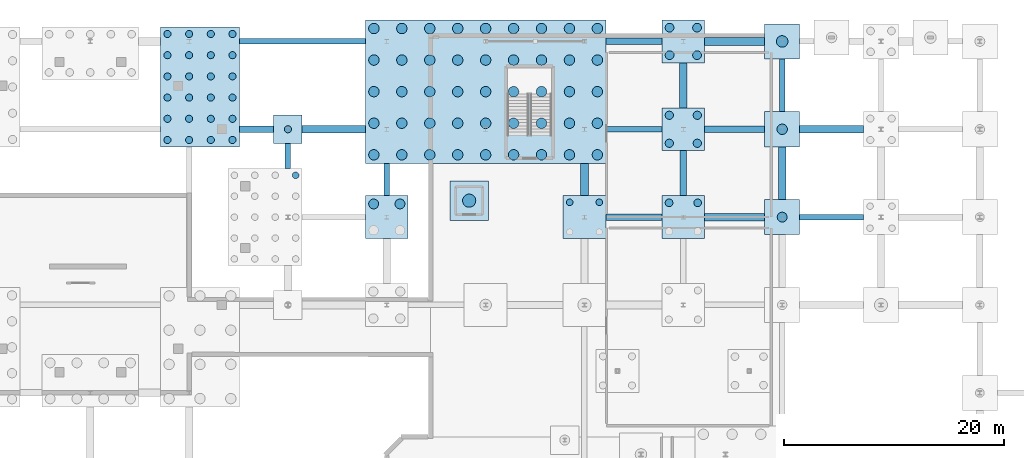
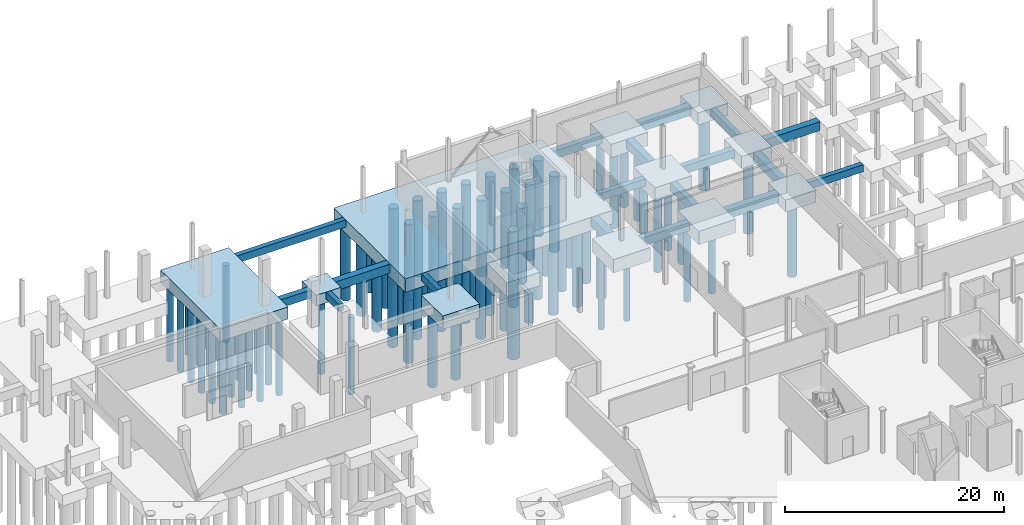
# One storey, part 7 of 37: 89 piles, 30 footings.
"""IFC4 building model written with IfcOpenShell, lengths in metres."""

from ifc_helpers import new_model, si_unit, direction, frame, origin, origin_2d, place, context, subcontext, project, spatial, polyline, rectangle, circle, outline, extrude, material, material_profile, profile_set, type_object, element, save


model = new_model("IFC4")

# Units and contexts
model_context = context("Model", 3, precision=1e-05, world=origin(), true_north=direction((0.0, 1.0)))
body_context = subcontext(model_context, "Body", "Model", "MODEL_VIEW")
ifc_project = project(units=[si_unit("LENGTHUNIT", "METRE"), si_unit("AREAUNIT", "SQUARE_METRE"), si_unit("VOLUMEUNIT", "CUBIC_METRE"), si_unit("PLANEANGLEUNIT", "RADIAN"), si_unit("MASSUNIT", "GRAM", prefix="KILO"), si_unit("THERMODYNAMICTEMPERATUREUNIT", "KELVIN"), si_unit("POWERUNIT", "WATT")], contexts=[model_context])

# Site, building, storey
site_placement = place(None, origin())
site = spatial("IfcSite", under=ifc_project, at=site_placement, CompositionType="ELEMENT")
building_placement = place(site_placement, origin())
building = spatial("IfcBuilding", under=site, at=building_placement, Name="Zelmaris Science Centre", CompositionType="ELEMENT")
storey_placement = place(building_placement, frame((0.0, 0.0, -4.800048828125)))
storey = spatial("IfcBuildingStorey", under=building, at=storey_placement, Name="B1", CompositionType="ELEMENT", Elevation=-4.800048828125)

# Footings
ifc_material = material(Name="Concrete C40/50", Category="concrete")
ifc_material_profile_1 = material_profile(ifc_material, rectangle(XDim=0.5, YDim=0.800048828125, at=origin_2d()), Name="FB-500X800")
ifc_profile_set_1 = profile_set([ifc_material_profile_1], Name="Concrete C40/50")
footing_type_1 = type_object("IfcFootingType", Name="Foundation Tie Beam FB-01 500x800", PredefinedType="FOOTING_BEAM", material=ifc_profile_set_1)
footing_1_placement = place(storey_placement, frame((45.0, 76.408935546875, -0.75), z_axis=(0.0, 1.0, 0.0), x_axis=(-1.0, 0.0, 0.0)))
element("IfcFooting", 1, at=footing_1_placement, inside=storey, type_object=footing_type_1, Name="Foundation tie beam 31", PredefinedType="FOOTING_BEAM", context=body_context, shape_type="SweptSolid", body=[
    extrude(rectangle(XDim=0.5, YDim=0.800048828125, at=origin_2d()), origin(), (0.0, 0.0, 1.0), 2.291015625),
])
footing_2_placement = place(storey_placement, frame((54.0, 73.949951171875, -0.75), z_axis=(0.0, 1.0, 0.0), x_axis=(-1.0, 0.0, 0.0)))
element("IfcFooting", 2, at=footing_2_placement, inside=storey, type_object=footing_type_1, Name="Foundation tie beam 37", PredefinedType="FOOTING_BEAM", context=body_context, shape_type="SweptSolid", body=[
    extrude(rectangle(XDim=0.5, YDim=0.800048828125, at=origin_2d()), origin(), (0.0, 0.0, 1.0), 2.949951171875),
])
footing_3_placement = place(storey_placement, frame((90.0, 81.60009765625, -0.75), z_axis=(0.0, 1.0, 0.0), x_axis=(-1.0, 0.0, 0.0)))
element("IfcFooting", 3, at=footing_3_placement, inside=storey, type_object=footing_type_1, Name="Foundation tie beam 49", PredefinedType="FOOTING_BEAM", context=body_context, shape_type="SweptSolid", body=[
    extrude(rectangle(XDim=0.5, YDim=0.800048828125, at=origin_2d()), origin(), (0.0, 0.0, 1.0), 4.7998046875),
])
footing_4_placement = place(storey_placement, frame((91.60009765625, 72.0, -0.75), z_axis=(1.0, 0.0, 0.0), x_axis=(0.0, 1.0, 0.0)))
element("IfcFooting", 4, at=footing_4_placement, inside=storey, type_object=footing_type_1, Name="Foundation tie beam 184", PredefinedType="FOOTING_BEAM", context=body_context, shape_type="SweptSolid", body=[
    extrude(rectangle(XDim=0.5, YDim=0.800048828125, at=origin_2d()), origin(), (0.0, 0.0, 1.0), 5.7998046875),
])
footing_5_placement = place(storey_placement, frame((73.949951171875, 80.0, -0.75), z_axis=(1.0, 0.0, 0.0), x_axis=(0.0, 1.0, 0.0)))
element("IfcFooting", 5, at=footing_5_placement, inside=storey, type_object=footing_type_1, Name="Foundation tie beam 190", PredefinedType="FOOTING_BEAM", context=body_context, shape_type="SweptSolid", body=[
    extrude(rectangle(XDim=0.5, YDim=0.800048828125, at=origin_2d()), origin(), (0.0, 0.0, 1.0), 5.10009765625),
])
footing_6_placement = place(storey_placement, frame((40.572998046875, 88.0, -0.75), z_axis=(1.0, 0.0, 0.0), x_axis=(0.0, 1.0, 0.0)))
element("IfcFooting", 6, at=footing_6_placement, inside=storey, type_object=footing_type_1, Name="Foundation tie beam 196", PredefinedType="FOOTING_BEAM", context=body_context, shape_type="SweptSolid", body=[
    extrude(rectangle(XDim=0.5, YDim=0.800048828125, at=origin_2d()), origin(), (0.0, 0.0, 1.0), 11.47705078125),
])
ifc_material_profile_2 = material_profile(ifc_material, rectangle(XDim=0.60009765625, YDim=0.89990234375, at=origin_2d()), Name="FB-600X900")
ifc_profile_set_2 = profile_set([ifc_material_profile_2], Name="Concrete C40/50")
footing_type_2 = type_object("IfcFootingType", Name="Foundation Tie Beam FB-02 600x900", PredefinedType="FOOTING_BEAM", material=ifc_profile_set_2)
footing_7_placement = place(storey_placement, frame((81.0, 73.949951171875, -0.800048828125), z_axis=(0.0, 1.0, 0.0), x_axis=(-1.0, 0.0, 0.0)))
element("IfcFooting", 7, at=footing_7_placement, inside=storey, type_object=footing_type_2, Name="Foundation tie beam 44", PredefinedType="FOOTING_BEAM", context=body_context, shape_type="SweptSolid", body=[
    extrude(rectangle(XDim=0.60009765625, YDim=0.89990234375, at=origin_2d()), origin(), (0.0, 0.0, 1.0), 4.10009765625),
])
footing_8_placement = place(storey_placement, frame((73.949951171875, 72.0, -0.800048828125), z_axis=(1.0, 0.0, 0.0), x_axis=(0.0, 1.0, 0.0)))
element("IfcFooting", 8, at=footing_8_placement, inside=storey, type_object=footing_type_2, Name="Foundation tie beam 182", PredefinedType="FOOTING_BEAM", context=body_context, shape_type="SweptSolid", body=[
    extrude(rectangle(XDim=0.60009765625, YDim=0.89990234375, at=origin_2d()), origin(), (0.0, 0.0, 1.0), 5.10009765625),
])
footing_9_placement = place(storey_placement, frame((40.572998046875, 80.0, -0.800048828125), z_axis=(1.0, 0.0, 0.0), x_axis=(0.0, 1.0, 0.0)))
element("IfcFooting", 9, at=footing_9_placement, inside=storey, type_object=footing_type_2, Name="Foundation tie beam 188", PredefinedType="FOOTING_BEAM", context=body_context, shape_type="SweptSolid", body=[
    extrude(rectangle(XDim=0.60009765625, YDim=0.89990234375, at=origin_2d()), origin(), (0.0, 0.0, 1.0), 3.126953125),
])
footing_10_placement = place(storey_placement, frame((82.949951171875, 80.0, -0.800048828125), z_axis=(1.0, 0.0, 0.0), x_axis=(0.0, 1.0, 0.0)))
element("IfcFooting", 10, at=footing_10_placement, inside=storey, type_object=footing_type_2, Name="Foundation tie beam 191", PredefinedType="FOOTING_BEAM", context=body_context, shape_type="SweptSolid", body=[
    extrude(rectangle(XDim=0.60009765625, YDim=0.89990234375, at=origin_2d()), origin(), (0.0, 0.0, 1.0), 5.449951171875),
])
footing_11_placement = place(storey_placement, frame((73.949951171875, 88.0, -0.800048828125), z_axis=(1.0, 0.0, 0.0), x_axis=(0.0, 1.0, 0.0)))
element("IfcFooting", 11, at=footing_11_placement, inside=storey, type_object=footing_type_2, Name="Foundation tie beam 197", PredefinedType="FOOTING_BEAM", context=body_context, shape_type="SweptSolid", body=[
    extrude(rectangle(XDim=0.60009765625, YDim=0.89990234375, at=origin_2d()), origin(), (0.0, 0.0, 1.0), 5.10009765625),
])
ifc_material_profile_3 = material_profile(ifc_material, rectangle(XDim=0.699951171875, YDim=1.0, at=origin_2d()), Name="FB-700X1000")
ifc_profile_set_3 = profile_set([ifc_material_profile_3], Name="Concrete C40/50")
footing_type_3 = type_object("IfcFootingType", Name="Foundation Tie Beam FB-03 700x1000", PredefinedType="FOOTING_BEAM", material=ifc_profile_set_3)
footing_12_placement = place(storey_placement, frame((72.0, 73.949951171875, -0.849853515625), z_axis=(0.0, 1.0, 0.0), x_axis=(-1.0, 0.0, 0.0)))
element("IfcFooting", 12, at=footing_12_placement, inside=storey, type_object=footing_type_3, Name="Foundation tie beam 42", PredefinedType="FOOTING_BEAM", context=body_context, shape_type="SweptSolid", body=[
    extrude(rectangle(XDim=0.699951171875, YDim=1.0, at=origin_2d()), origin(), (0.0, 0.0, 1.0), 2.949951171875),
])
footing_13_placement = place(storey_placement, frame((81.0, 81.949951171875, -0.849853515625), z_axis=(0.0, 1.0, 0.0), x_axis=(-1.0, 0.0, 0.0)))
element("IfcFooting", 13, at=footing_13_placement, inside=storey, type_object=footing_type_3, Name="Foundation tie beam 45", PredefinedType="FOOTING_BEAM", context=body_context, shape_type="SweptSolid", body=[
    extrude(rectangle(XDim=0.699951171875, YDim=1.0, at=origin_2d()), origin(), (0.0, 0.0, 1.0), 4.10009765625),
])
footing_14_placement = place(storey_placement, frame((90.0, 73.60009765625, -0.849853515625), z_axis=(0.0, 1.0, 0.0), x_axis=(-1.0, 0.0, 0.0)))
element("IfcFooting", 14, at=footing_14_placement, inside=storey, type_object=footing_type_3, Name="Foundation tie beam 48", PredefinedType="FOOTING_BEAM", context=body_context, shape_type="SweptSolid", body=[
    extrude(rectangle(XDim=0.699951171875, YDim=1.0, at=origin_2d()), origin(), (0.0, 0.0, 1.0), 4.7998046875),
])
footing_15_placement = place(storey_placement, frame((82.949951171875, 72.0, -0.849853515625), z_axis=(1.0, 0.0, 0.0), x_axis=(0.0, 1.0, 0.0)))
element("IfcFooting", 15, at=footing_15_placement, inside=storey, type_object=footing_type_3, Name="Foundation tie beam 183", PredefinedType="FOOTING_BEAM", context=body_context, shape_type="SweptSolid", body=[
    extrude(rectangle(XDim=0.699951171875, YDim=1.0, at=origin_2d()), origin(), (0.0, 0.0, 1.0), 5.449951171875),
])
footing_16_placement = place(storey_placement, frame((46.300048828125, 80.0, -0.849853515625), z_axis=(1.0, 0.0, 0.0), x_axis=(0.0, 1.0, 0.0)))
element("IfcFooting", 16, at=footing_16_placement, inside=storey, type_object=footing_type_3, Name="Foundation tie beam 189", PredefinedType="FOOTING_BEAM", context=body_context, shape_type="SweptSolid", body=[
    extrude(rectangle(XDim=0.699951171875, YDim=1.0, at=origin_2d()), origin(), (0.0, 0.0, 1.0), 5.75),
])
footing_17_placement = place(storey_placement, frame((91.60009765625, 80.0, -0.849853515625), z_axis=(1.0, 0.0, 0.0), x_axis=(0.0, 1.0, 0.0)))
element("IfcFooting", 17, at=footing_17_placement, inside=storey, type_object=footing_type_3, Name="Foundation tie beam 192", PredefinedType="FOOTING_BEAM", context=body_context, shape_type="SweptSolid", body=[
    extrude(rectangle(XDim=0.699951171875, YDim=1.0, at=origin_2d()), origin(), (0.0, 0.0, 1.0), 5.7998046875),
])
footing_18_placement = place(storey_placement, frame((82.949951171875, 88.0, -0.849853515625), z_axis=(1.0, 0.0, 0.0), x_axis=(0.0, 1.0, 0.0)))
element("IfcFooting", 18, at=footing_18_placement, inside=storey, type_object=footing_type_3, Name="Foundation tie beam 198", PredefinedType="FOOTING_BEAM", context=body_context, shape_type="SweptSolid", body=[
    extrude(rectangle(XDim=0.699951171875, YDim=1.0, at=origin_2d()), origin(), (0.0, 0.0, 1.0), 5.449951171875),
])
footing_type_4 = type_object("IfcFootingType", Name="Pile Cap PCM-219130 21900x13000x1500", PredefinedType="PILE_CAP", material=ifc_material)
footing_19_placement = place(storey_placement, frame((0.0, 0.0, -1.849853515625)))
element("IfcFooting", 19, at=footing_19_placement, inside=storey, type_object=footing_type_4, Name="Pile cap 98", PredefinedType="PILE_CAP", context=body_context, shape_type="SweptSolid", body=[
    extrude(outline(polyline([(52.050048828125, 76.89990234375), (73.949951171875, 76.89990234375), (73.949951171875, 89.949951171875), (52.050048828125, 89.949951171875), (52.050048828125, 76.89990234375)])), origin(), (0.0, 0.0, 1.0), 1.5),
])
footing_type_5 = type_object("IfcFootingType", Name="Pile Cap PCM-2626 2600x2600x1200", PredefinedType="PILE_CAP", material=ifc_material)
footing_20_placement = place(storey_placement, frame((0.0, 0.0, -1.550048828125)))
element("IfcFooting", 20, at=footing_20_placement, inside=storey, type_object=footing_type_5, Name="Pile cap 12", PredefinedType="PILE_CAP", context=body_context, shape_type="SweptSolid", body=[
    extrude(outline(polyline([(43.699951171875, 78.699951171875), (46.300048828125, 78.699951171875), (46.300048828125, 81.300048828125), (43.699951171875, 81.300048828125), (43.699951171875, 78.699951171875)])), origin(), (0.0, 0.0, 1.0), 1.2001953125),
])
footing_type_6 = type_object("IfcFootingType", Name="Pile Cap PCM-3232 3200x3200x1350", PredefinedType="PILE_CAP", material=ifc_material)
footing_21_placement = place(storey_placement, frame((0.0, 0.0, -1.699951171875)))
element("IfcFooting", 21, at=footing_21_placement, inside=storey, type_object=footing_type_6, Name="Pile cap 107", PredefinedType="PILE_CAP", context=body_context, shape_type="SweptSolid", body=[
    extrude(outline(polyline([(88.39990234375, 70.39990234375), (91.60009765625, 70.39990234375), (91.60009765625, 73.60009765625), (88.39990234375, 73.60009765625), (88.39990234375, 70.39990234375)])), origin(), (0.0, 0.0, 1.0), 1.35009765625),
])
footing_22_placement = place(storey_placement, frame((0.0, 0.0, -1.699951171875)))
element("IfcFooting", 22, at=footing_22_placement, inside=storey, type_object=footing_type_6, Name="Pile cap 108", PredefinedType="PILE_CAP", context=body_context, shape_type="SweptSolid", body=[
    extrude(outline(polyline([(88.39990234375, 78.39990234375), (91.60009765625, 78.39990234375), (91.60009765625, 81.60009765625), (88.39990234375, 81.60009765625), (88.39990234375, 78.39990234375)])), origin(), (0.0, 0.0, 1.0), 1.35009765625),
])
footing_23_placement = place(storey_placement, frame((0.0, 0.0, -1.699951171875)))
element("IfcFooting", 23, at=footing_23_placement, inside=storey, type_object=footing_type_6, Name="Pile cap 109", PredefinedType="PILE_CAP", context=body_context, shape_type="SweptSolid", body=[
    extrude(outline(polyline([(88.39990234375, 86.39990234375), (91.60009765625, 86.39990234375), (91.60009765625, 89.60009765625), (88.39990234375, 89.60009765625), (88.39990234375, 86.39990234375)])), origin(), (0.0, 0.0, 1.0), 1.35009765625),
])
footing_type_7 = type_object("IfcFootingType", Name="Pile Cap PCM-3536 3500x3600x1500", PredefinedType="PILE_CAP", material=ifc_material)
footing_24_placement = place(storey_placement, frame((0.0, 0.0, -1.849853515625)))
element("IfcFooting", 24, at=footing_24_placement, inside=storey, type_object=footing_type_7, Name="Pile cap 130", PredefinedType="PILE_CAP", context=body_context, shape_type="SweptSolid", body=[
    extrude(outline(polyline([(59.75, 71.699951171875), (63.25, 71.699951171875), (63.25, 75.300048828125), (59.75, 75.300048828125), (59.75, 71.699951171875)])), origin(), (0.0, 0.0, 1.0), 1.5),
])
footing_type_8 = type_object("IfcFootingType", Name="Pile Cap PCM-3939 3900x3900x1500", PredefinedType="PILE_CAP", material=ifc_material)
footing_25_placement = place(storey_placement, frame((0.0, 0.0, -1.849853515625)))
element("IfcFooting", 25, at=footing_25_placement, inside=storey, type_object=footing_type_8, Name="Pile cap 97", PredefinedType="PILE_CAP", context=body_context, shape_type="SweptSolid", body=[
    extrude(outline(polyline([(52.050048828125, 70.050048828125), (55.949951171875, 70.050048828125), (55.949951171875, 73.949951171875), (52.050048828125, 73.949951171875), (52.050048828125, 70.050048828125)])), origin(), (0.0, 0.0, 1.0), 1.5),
])
footing_26_placement = place(storey_placement, frame((0.0, 0.0, -1.849853515625)))
element("IfcFooting", 26, at=footing_26_placement, inside=storey, type_object=footing_type_8, Name="Pile cap 101", PredefinedType="PILE_CAP", context=body_context, shape_type="SweptSolid", body=[
    extrude(outline(polyline([(70.050048828125, 70.050048828125), (73.949951171875, 70.050048828125), (73.949951171875, 73.949951171875), (70.050048828125, 73.949951171875), (70.050048828125, 70.050048828125)])), origin(), (0.0, 0.0, 1.0), 1.5),
])
footing_27_placement = place(storey_placement, frame((0.0, 0.0, -1.849853515625)))
element("IfcFooting", 27, at=footing_27_placement, inside=storey, type_object=footing_type_8, Name="Pile cap 103", PredefinedType="PILE_CAP", context=body_context, shape_type="SweptSolid", body=[
    extrude(outline(polyline([(79.050048828125, 70.050048828125), (82.949951171875, 70.050048828125), (82.949951171875, 73.949951171875), (79.050048828125, 73.949951171875), (79.050048828125, 70.050048828125)])), origin(), (0.0, 0.0, 1.0), 1.5),
])
footing_28_placement = place(storey_placement, frame((0.0, 0.0, -1.849853515625)))
element("IfcFooting", 28, at=footing_28_placement, inside=storey, type_object=footing_type_8, Name="Pile cap 104", PredefinedType="PILE_CAP", context=body_context, shape_type="SweptSolid", body=[
    extrude(outline(polyline([(79.050048828125, 78.050048828125), (82.949951171875, 78.050048828125), (82.949951171875, 81.949951171875), (79.050048828125, 81.949951171875), (79.050048828125, 78.050048828125)])), origin(), (0.0, 0.0, 1.0), 1.5),
])
footing_29_placement = place(storey_placement, frame((0.0, 0.0, -1.849853515625)))
element("IfcFooting", 29, at=footing_29_placement, inside=storey, type_object=footing_type_8, Name="Pile cap 105", PredefinedType="PILE_CAP", context=body_context, shape_type="SweptSolid", body=[
    extrude(outline(polyline([(79.050048828125, 86.050048828125), (82.949951171875, 86.050048828125), (82.949951171875, 89.949951171875), (79.050048828125, 89.949951171875), (79.050048828125, 86.050048828125)])), origin(), (0.0, 0.0, 1.0), 1.5),
])
footing_type_9 = type_object("IfcFootingType", Name="Pile Cap PCM-72109 7200x10900x1350", PredefinedType="PILE_CAP", material=ifc_material)
footing_30_placement = place(storey_placement, frame((0.0, 0.0, -1.699951171875)))
element("IfcFooting", 30, at=footing_30_placement, inside=storey, type_object=footing_type_9, Name="Pile cap 2", PredefinedType="PILE_CAP", context=body_context, shape_type="SweptSolid", body=[
    extrude(outline(polyline([(33.39990234375, 78.39990234375), (40.572998046875, 78.39990234375), (40.572998046875, 89.300048828125), (33.39990234375, 89.300048828125), (33.39990234375, 78.39990234375)])), origin(), (0.0, 0.0, 1.0), 1.35009765625),
])

# Piles
ifc_material_profile_4 = material_profile(ifc_material, circle(Radius=0.52490234375, at=origin_2d()), Name="PILE-1050")
ifc_profile_set_4 = profile_set([ifc_material_profile_4], Name="Concrete C40/50")
pile_type_1 = type_object("IfcPileType", Name="Pile PL-1050 D1050", PredefinedType="BORED", material=ifc_profile_set_4)
pile_1_placement = place(storey_placement, frame((90.0, 88.0, -1.579833984375), z_axis=(0.0, 0.0, -1.0), x_axis=(1.0, 0.0, 0.0)))
element("IfcPile", 31, at=pile_1_placement, inside=storey, type_object=pile_type_1, Name="Bored pile 109-1", PredefinedType="BORED", context=body_context, shape_type="SweptSolid", body=[
    extrude(circle(Radius=0.52490234375, at=origin_2d()), origin(), (0.0, 0.0, 1.0), 8.6201171875),
])
ifc_material_profile_5 = material_profile(ifc_material, circle(Radius=0.60009765625, at=origin_2d()), Name="PILE-1200")
ifc_profile_set_5 = profile_set([ifc_material_profile_5], Name="Concrete C40/50")
pile_type_2 = type_object("IfcPileType", Name="Pile PL-1200 D1200", PredefinedType="BORED", material=ifc_profile_set_5)
pile_2_placement = place(storey_placement, frame((61.5, 73.5, -1.72998046875), z_axis=(0.0, 0.0, -1.0), x_axis=(1.0, 0.0, 0.0)))
element("IfcPile", 32, at=pile_2_placement, inside=storey, type_object=pile_type_2, Name="Bored pile 130-1", PredefinedType="BORED", context=body_context, shape_type="SweptSolid", body=[
    extrude(circle(Radius=0.60009765625, at=origin_2d()), origin(), (0.0, 0.0, 1.0), 8.469970703125),
])
ifc_material_profile_6 = material_profile(ifc_material, circle(Radius=0.300048828125, at=origin_2d()), Name="PILE-600")
ifc_profile_set_6 = profile_set([ifc_material_profile_6], Name="Concrete C40/50")
pile_type_3 = type_object("IfcPileType", Name="Pile PL-600 D600", PredefinedType="BORED", material=ifc_profile_set_6)
pile_3_placement = place(storey_placement, frame((45.699951171875, 75.80908203125, -1.579833984375), z_axis=(0.0, 0.0, -1.0), x_axis=(1.0, 0.0, 0.0)))
element("IfcPile", 33, at=pile_3_placement, inside=storey, type_object=pile_type_3, Name="Bored pile 1-20", PredefinedType="BORED", context=body_context, shape_type="SweptSolid", body=[
    extrude(circle(Radius=0.300048828125, at=origin_2d()), origin(), (0.0, 0.0, 1.0), 8.6201171875),
])
for number, where, z_axis, x_axis, name in (
    (34, (70.64990234375, 73.35009765625, -1.72998046875), (0.0, 0.0, -1.0), (1.0, 0.0, 0.0), "Bored pile 101-2"),
    (35, (73.35009765625, 73.35009765625, -1.72998046875), (0.0, 0.0, -1.0), (1.0, 0.0, 0.0), "Bored pile 101-4"),
):
    element("IfcPile", number, at=place(storey_placement, frame(where, z_axis=z_axis, x_axis=x_axis)), inside=storey, type_object=pile_type_3, Name=name, PredefinedType="BORED", context=body_context, shape_type="SweptSolid", body=[
        extrude(circle(Radius=0.300048828125, at=origin_2d()), origin(), (0.0, 0.0, 1.0), 8.469970703125),
    ])
ifc_material_profile_7 = material_profile(ifc_material, circle(Radius=0.324951171875, at=origin_2d()), Name="PILE-650")
ifc_profile_set_7 = profile_set([ifc_material_profile_7], Name="Concrete C40/50")
pile_type_4 = type_object("IfcPileType", Name="Pile PL-650 D650", PredefinedType="BORED", material=ifc_profile_set_7)
for number, where, z_axis, x_axis, name in (
    (36, (34.02490234375, 79.02490234375, -1.579833984375), (0.0, 0.0, -1.0), (1.0, 0.0, 0.0), "Bored pile 2-1"),
    (37, (34.02490234375, 80.955078125, -1.579833984375), (0.0, 0.0, -1.0), (1.0, 0.0, 0.0), "Bored pile 2-2"),
    (38, (34.02490234375, 82.885009765625, -1.579833984375), (0.0, 0.0, -1.0), (1.0, 0.0, 0.0), "Bored pile 2-3"),
    (39, (34.02490234375, 84.81494140625, -1.579833984375), (0.0, 0.0, -1.0), (1.0, 0.0, 0.0), "Bored pile 2-4"),
    (40, (34.02490234375, 86.7451171875, -1.579833984375), (0.0, 0.0, -1.0), (1.0, 0.0, 0.0), "Bored pile 2-5"),
    (41, (34.02490234375, 88.675048828125, -1.579833984375), (0.0, 0.0, -1.0), (1.0, 0.0, 0.0), "Bored pile 2-6"),
    (42, (35.999267578125, 79.02490234375, -1.579833984375), (0.0, 0.0, -1.0), (1.0, 0.0, 0.0), "Bored pile 2-7"),
    (43, (35.999267578125, 80.955078125, -1.579833984375), (0.0, 0.0, -1.0), (1.0, 0.0, 0.0), "Bored pile 2-8"),
    (44, (35.999267578125, 82.885009765625, -1.579833984375), (0.0, 0.0, -1.0), (1.0, 0.0, 0.0), "Bored pile 2-9"),
    (45, (35.999267578125, 84.81494140625, -1.579833984375), (0.0, 0.0, -1.0), (1.0, 0.0, 0.0), "Bored pile 2-10"),
    (46, (35.999267578125, 86.7451171875, -1.579833984375), (0.0, 0.0, -1.0), (1.0, 0.0, 0.0), "Bored pile 2-11"),
    (47, (35.999267578125, 88.675048828125, -1.579833984375), (0.0, 0.0, -1.0), (1.0, 0.0, 0.0), "Bored pile 2-12"),
    (48, (37.9736328125, 79.02490234375, -1.579833984375), (0.0, 0.0, -1.0), (1.0, 0.0, 0.0), "Bored pile 2-13"),
    (49, (37.9736328125, 80.955078125, -1.579833984375), (0.0, 0.0, -1.0), (1.0, 0.0, 0.0), "Bored pile 2-14"),
    (50, (37.9736328125, 82.885009765625, -1.579833984375), (0.0, 0.0, -1.0), (1.0, 0.0, 0.0), "Bored pile 2-15"),
    (51, (37.9736328125, 84.81494140625, -1.579833984375), (0.0, 0.0, -1.0), (1.0, 0.0, 0.0), "Bored pile 2-16"),
    (52, (37.9736328125, 86.7451171875, -1.579833984375), (0.0, 0.0, -1.0), (1.0, 0.0, 0.0), "Bored pile 2-17"),
    (53, (37.9736328125, 88.675048828125, -1.579833984375), (0.0, 0.0, -1.0), (1.0, 0.0, 0.0), "Bored pile 2-18"),
    (54, (39.947998046875, 79.02490234375, -1.579833984375), (0.0, 0.0, -1.0), (1.0, 0.0, 0.0), "Bored pile 2-19"),
    (55, (39.947998046875, 80.955078125, -1.579833984375), (0.0, 0.0, -1.0), (1.0, 0.0, 0.0), "Bored pile 2-20"),
    (56, (39.947998046875, 82.885009765625, -1.579833984375), (0.0, 0.0, -1.0), (1.0, 0.0, 0.0), "Bored pile 2-21"),
    (57, (39.947998046875, 84.81494140625, -1.579833984375), (0.0, 0.0, -1.0), (1.0, 0.0, 0.0), "Bored pile 2-22"),
    (58, (39.947998046875, 86.7451171875, -1.579833984375), (0.0, 0.0, -1.0), (1.0, 0.0, 0.0), "Bored pile 2-23"),
    (59, (39.947998046875, 88.675048828125, -1.579833984375), (0.0, 0.0, -1.0), (1.0, 0.0, 0.0), "Bored pile 2-24"),
):
    element("IfcPile", number, at=place(storey_placement, frame(where, z_axis=z_axis, x_axis=x_axis)), inside=storey, type_object=pile_type_4, Name=name, PredefinedType="BORED", context=body_context, shape_type="SweptSolid", body=[
        extrude(circle(Radius=0.324951171875, at=origin_2d()), origin(), (0.0, 0.0, 1.0), 8.6201171875),
    ])
pile_4_placement = place(storey_placement, frame((45.0, 80.0, -1.429931640625), z_axis=(0.0, 0.0, -1.0), x_axis=(1.0, 0.0, 0.0)))
element("IfcPile", 60, at=pile_4_placement, inside=storey, type_object=pile_type_4, Name="Bored pile 12-1", PredefinedType="BORED", context=body_context, shape_type="SweptSolid", body=[
    extrude(circle(Radius=0.324951171875, at=origin_2d()), origin(), (0.0, 0.0, 1.0), 8.77001953125),
])
ifc_material_profile_8 = material_profile(ifc_material, circle(Radius=0.35009765625, at=origin_2d()), Name="PILE-700")
ifc_profile_set_8 = profile_set([ifc_material_profile_8], Name="Concrete C40/50")
pile_type_5 = type_object("IfcPileType", Name="Pile PL-700 D700", PredefinedType="BORED", material=ifc_profile_set_8)
for number, where, z_axis, x_axis, name in (
    (61, (79.699951171875, 73.300048828125, -1.72998046875), (0.0, 0.0, -1.0), (1.0, 0.0, 0.0), "Bored pile 103-2"),
    (62, (82.300048828125, 73.300048828125, -1.72998046875), (0.0, 0.0, -1.0), (1.0, 0.0, 0.0), "Bored pile 103-4"),
):
    element("IfcPile", number, at=place(storey_placement, frame(where, z_axis=z_axis, x_axis=x_axis)), inside=storey, type_object=pile_type_5, Name=name, PredefinedType="BORED", context=body_context, shape_type="SweptSolid", body=[
        extrude(circle(Radius=0.35009765625, at=origin_2d()), origin(), (0.0, 0.0, 1.0), 8.469970703125),
    ])
ifc_material_profile_9 = material_profile(ifc_material, circle(Radius=0.375, at=origin_2d()), Name="PILE-750")
ifc_profile_set_9 = profile_set([ifc_material_profile_9], Name="Concrete C40/50")
pile_type_6 = type_object("IfcPileType", Name="Pile PL-750 D750", PredefinedType="BORED", material=ifc_profile_set_9)
for number, where, z_axis, x_axis, name in (
    (63, (79.72509765625, 78.72509765625, -1.72998046875), (0.0, 0.0, -1.0), (1.0, 0.0, 0.0), "Bored pile 104-1"),
    (64, (79.72509765625, 81.27490234375, -1.72998046875), (0.0, 0.0, -1.0), (1.0, 0.0, 0.0), "Bored pile 104-2"),
    (65, (82.27490234375, 78.72509765625, -1.72998046875), (0.0, 0.0, -1.0), (1.0, 0.0, 0.0), "Bored pile 104-3"),
    (66, (82.27490234375, 81.27490234375, -1.72998046875), (0.0, 0.0, -1.0), (1.0, 0.0, 0.0), "Bored pile 104-4"),
):
    element("IfcPile", number, at=place(storey_placement, frame(where, z_axis=z_axis, x_axis=x_axis)), inside=storey, type_object=pile_type_6, Name=name, PredefinedType="BORED", context=body_context, shape_type="SweptSolid", body=[
        extrude(circle(Radius=0.375, at=origin_2d()), origin(), (0.0, 0.0, 1.0), 8.469970703125),
    ])
ifc_material_profile_10 = material_profile(ifc_material, circle(Radius=0.39990234375, at=origin_2d()), Name="PILE-800")
ifc_profile_set_10 = profile_set([ifc_material_profile_10], Name="Concrete C40/50")
pile_type_7 = type_object("IfcPileType", Name="Pile PL-800 D800", PredefinedType="BORED", material=ifc_profile_set_10)
for number, where, z_axis, x_axis, name in (
    (67, (79.75, 86.75, -1.72998046875), (0.0, 0.0, -1.0), (1.0, 0.0, 0.0), "Bored pile 105-1"),
    (68, (79.75, 89.25, -1.72998046875), (0.0, 0.0, -1.0), (1.0, 0.0, 0.0), "Bored pile 105-2"),
    (69, (82.25, 86.75, -1.72998046875), (0.0, 0.0, -1.0), (1.0, 0.0, 0.0), "Bored pile 105-3"),
    (70, (82.25, 89.25, -1.72998046875), (0.0, 0.0, -1.0), (1.0, 0.0, 0.0), "Bored pile 105-4"),
):
    element("IfcPile", number, at=place(storey_placement, frame(where, z_axis=z_axis, x_axis=x_axis)), inside=storey, type_object=pile_type_7, Name=name, PredefinedType="BORED", context=body_context, shape_type="SweptSolid", body=[
        extrude(circle(Radius=0.39990234375, at=origin_2d()), origin(), (0.0, 0.0, 1.0), 8.469970703125),
    ])
ifc_material_profile_11 = material_profile(ifc_material, circle(Radius=0.449951171875, at=origin_2d()), Name="PILE-900")
ifc_profile_set_11 = profile_set([ifc_material_profile_11], Name="Concrete C40/50")
pile_type_8 = type_object("IfcPileType", Name="Pile PL-900 D900", PredefinedType="BORED", material=ifc_profile_set_11)
for number, where, z_axis, x_axis, name in (
    (71, (52.800048828125, 73.199951171875, -1.72998046875), (0.0, 0.0, -1.0), (1.0, 0.0, 0.0), "Bored pile 97-2"),
    (72, (55.199951171875, 73.199951171875, -1.72998046875), (0.0, 0.0, -1.0), (1.0, 0.0, 0.0), "Bored pile 97-4"),
):
    element("IfcPile", number, at=place(storey_placement, frame(where, z_axis=z_axis, x_axis=x_axis)), inside=storey, type_object=pile_type_8, Name=name, PredefinedType="BORED", context=body_context, shape_type="SweptSolid", body=[
        extrude(circle(Radius=0.449951171875, at=origin_2d()), origin(), (0.0, 0.0, 1.0), 8.469970703125),
    ])
pile_5_placement = place(storey_placement, frame((90.0, 72.0, -1.579833984375), z_axis=(0.0, 0.0, -1.0), x_axis=(1.0, 0.0, 0.0)))
element("IfcPile", 73, at=pile_5_placement, inside=storey, type_object=pile_type_8, Name="Bored pile 107-1", PredefinedType="BORED", context=body_context, shape_type="SweptSolid", body=[
    extrude(circle(Radius=0.449951171875, at=origin_2d()), origin(), (0.0, 0.0, 1.0), 8.6201171875),
])
ifc_material_profile_12 = material_profile(ifc_material, circle(Radius=0.47509765625, at=origin_2d()), Name="PILE-950")
ifc_profile_set_12 = profile_set([ifc_material_profile_12], Name="Concrete C40/50")
pile_type_9 = type_object("IfcPileType", Name="Pile PL-950 D950", PredefinedType="BORED", material=ifc_profile_set_12)
for number, where, z_axis, x_axis, name in (
    (74, (52.824951171875, 77.675048828125, -1.72998046875), (0.0, 0.0, -1.0), (1.0, 0.0, 0.0), "Bored pile 98-1"),
    (75, (52.824951171875, 80.550048828125, -1.72998046875), (0.0, 0.0, -1.0), (1.0, 0.0, 0.0), "Bored pile 98-2"),
    (76, (52.824951171875, 83.425048828125, -1.72998046875), (0.0, 0.0, -1.0), (1.0, 0.0, 0.0), "Bored pile 98-3"),
    (77, (52.824951171875, 86.300048828125, -1.72998046875), (0.0, 0.0, -1.0), (1.0, 0.0, 0.0), "Bored pile 98-4"),
    (78, (52.824951171875, 89.175048828125, -1.72998046875), (0.0, 0.0, -1.0), (1.0, 0.0, 0.0), "Bored pile 98-5"),
    (79, (55.36865234375, 77.675048828125, -1.72998046875), (0.0, 0.0, -1.0), (1.0, 0.0, 0.0), "Bored pile 98-6"),
    (80, (55.36865234375, 80.550048828125, -1.72998046875), (0.0, 0.0, -1.0), (1.0, 0.0, 0.0), "Bored pile 98-7"),
    (81, (55.36865234375, 83.425048828125, -1.72998046875), (0.0, 0.0, -1.0), (1.0, 0.0, 0.0), "Bored pile 98-8"),
    (82, (55.36865234375, 86.300048828125, -1.72998046875), (0.0, 0.0, -1.0), (1.0, 0.0, 0.0), "Bored pile 98-9"),
    (83, (55.36865234375, 89.175048828125, -1.72998046875), (0.0, 0.0, -1.0), (1.0, 0.0, 0.0), "Bored pile 98-10"),
    (84, (57.91259765625, 77.675048828125, -1.72998046875), (0.0, 0.0, -1.0), (1.0, 0.0, 0.0), "Bored pile 98-11"),
    (85, (57.91259765625, 80.550048828125, -1.72998046875), (0.0, 0.0, -1.0), (1.0, 0.0, 0.0), "Bored pile 98-12"),
    (86, (57.91259765625, 83.425048828125, -1.72998046875), (0.0, 0.0, -1.0), (1.0, 0.0, 0.0), "Bored pile 98-13"),
    (87, (57.91259765625, 86.300048828125, -1.72998046875), (0.0, 0.0, -1.0), (1.0, 0.0, 0.0), "Bored pile 98-14"),
    (88, (57.91259765625, 89.175048828125, -1.72998046875), (0.0, 0.0, -1.0), (1.0, 0.0, 0.0), "Bored pile 98-15"),
    (89, (60.456298828125, 77.675048828125, -1.72998046875), (0.0, 0.0, -1.0), (1.0, 0.0, 0.0), "Bored pile 98-16"),
    (90, (60.456298828125, 80.550048828125, -1.72998046875), (0.0, 0.0, -1.0), (1.0, 0.0, 0.0), "Bored pile 98-17"),
    (91, (60.456298828125, 83.425048828125, -1.72998046875), (0.0, 0.0, -1.0), (1.0, 0.0, 0.0), "Bored pile 98-18"),
    (92, (60.456298828125, 86.300048828125, -1.72998046875), (0.0, 0.0, -1.0), (1.0, 0.0, 0.0), "Bored pile 98-19"),
    (93, (60.456298828125, 89.175048828125, -1.72998046875), (0.0, 0.0, -1.0), (1.0, 0.0, 0.0), "Bored pile 98-20"),
    (94, (63.0, 77.675048828125, -1.72998046875), (0.0, 0.0, -1.0), (1.0, 0.0, 0.0), "Bored pile 98-21"),
    (95, (63.0, 80.550048828125, -1.72998046875), (0.0, 0.0, -1.0), (1.0, 0.0, 0.0), "Bored pile 98-22"),
    (96, (63.0, 83.425048828125, -1.72998046875), (0.0, 0.0, -1.0), (1.0, 0.0, 0.0), "Bored pile 98-23"),
    (97, (63.0, 86.300048828125, -1.72998046875), (0.0, 0.0, -1.0), (1.0, 0.0, 0.0), "Bored pile 98-24"),
    (98, (63.0, 89.175048828125, -1.72998046875), (0.0, 0.0, -1.0), (1.0, 0.0, 0.0), "Bored pile 98-25"),
    (99, (65.543701171875, 77.675048828125, -1.72998046875), (0.0, 0.0, -1.0), (1.0, 0.0, 0.0), "Bored pile 98-26"),
    (100, (65.543701171875, 80.550048828125, -1.72998046875), (0.0, 0.0, -1.0), (1.0, 0.0, 0.0), "Bored pile 98-27"),
    (101, (65.543701171875, 83.425048828125, -1.72998046875), (0.0, 0.0, -1.0), (1.0, 0.0, 0.0), "Bored pile 98-28"),
    (102, (65.543701171875, 86.300048828125, -1.72998046875), (0.0, 0.0, -1.0), (1.0, 0.0, 0.0), "Bored pile 98-29"),
    (103, (65.543701171875, 89.175048828125, -1.72998046875), (0.0, 0.0, -1.0), (1.0, 0.0, 0.0), "Bored pile 98-30"),
    (104, (68.08740234375, 77.675048828125, -1.72998046875), (0.0, 0.0, -1.0), (1.0, 0.0, 0.0), "Bored pile 98-31"),
    (105, (68.08740234375, 80.550048828125, -1.72998046875), (0.0, 0.0, -1.0), (1.0, 0.0, 0.0), "Bored pile 98-32"),
    (106, (68.08740234375, 83.425048828125, -1.72998046875), (0.0, 0.0, -1.0), (1.0, 0.0, 0.0), "Bored pile 98-33"),
    (107, (68.08740234375, 86.300048828125, -1.72998046875), (0.0, 0.0, -1.0), (1.0, 0.0, 0.0), "Bored pile 98-34"),
    (108, (68.08740234375, 89.175048828125, -1.72998046875), (0.0, 0.0, -1.0), (1.0, 0.0, 0.0), "Bored pile 98-35"),
    (109, (70.631103515625, 77.675048828125, -1.72998046875), (0.0, 0.0, -1.0), (1.0, 0.0, 0.0), "Bored pile 98-36"),
    (110, (70.631103515625, 80.550048828125, -1.72998046875), (0.0, 0.0, -1.0), (1.0, 0.0, 0.0), "Bored pile 98-37"),
    (111, (70.631103515625, 83.425048828125, -1.72998046875), (0.0, 0.0, -1.0), (1.0, 0.0, 0.0), "Bored pile 98-38"),
    (112, (70.631103515625, 86.300048828125, -1.72998046875), (0.0, 0.0, -1.0), (1.0, 0.0, 0.0), "Bored pile 98-39"),
    (113, (70.631103515625, 89.175048828125, -1.72998046875), (0.0, 0.0, -1.0), (1.0, 0.0, 0.0), "Bored pile 98-40"),
    (114, (73.175048828125, 77.675048828125, -1.72998046875), (0.0, 0.0, -1.0), (1.0, 0.0, 0.0), "Bored pile 98-41"),
    (115, (73.175048828125, 80.550048828125, -1.72998046875), (0.0, 0.0, -1.0), (1.0, 0.0, 0.0), "Bored pile 98-42"),
    (116, (73.175048828125, 83.425048828125, -1.72998046875), (0.0, 0.0, -1.0), (1.0, 0.0, 0.0), "Bored pile 98-43"),
    (117, (73.175048828125, 86.300048828125, -1.72998046875), (0.0, 0.0, -1.0), (1.0, 0.0, 0.0), "Bored pile 98-44"),
    (118, (73.175048828125, 89.175048828125, -1.72998046875), (0.0, 0.0, -1.0), (1.0, 0.0, 0.0), "Bored pile 98-45"),
):
    element("IfcPile", number, at=place(storey_placement, frame(where, z_axis=z_axis, x_axis=x_axis)), inside=storey, type_object=pile_type_9, Name=name, PredefinedType="BORED", context=body_context, shape_type="SweptSolid", body=[
        extrude(circle(Radius=0.47509765625, at=origin_2d()), origin(), (0.0, 0.0, 1.0), 8.469970703125),
    ])
pile_6_placement = place(storey_placement, frame((90.0, 80.0, -1.579833984375), z_axis=(0.0, 0.0, -1.0), x_axis=(1.0, 0.0, 0.0)))
element("IfcPile", 119, at=pile_6_placement, inside=storey, type_object=pile_type_9, Name="Bored pile 108-1", PredefinedType="BORED", context=body_context, shape_type="SweptSolid", body=[
    extrude(circle(Radius=0.47509765625, at=origin_2d()), origin(), (0.0, 0.0, 1.0), 8.6201171875),
])

save(model, "model.ifc")
